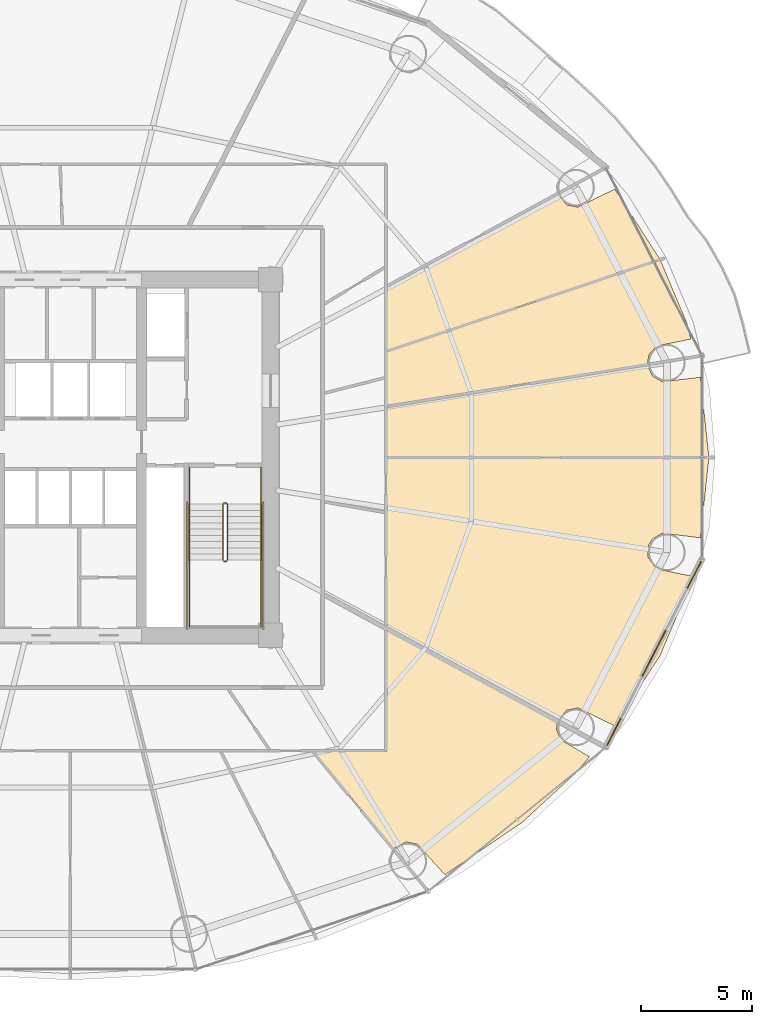
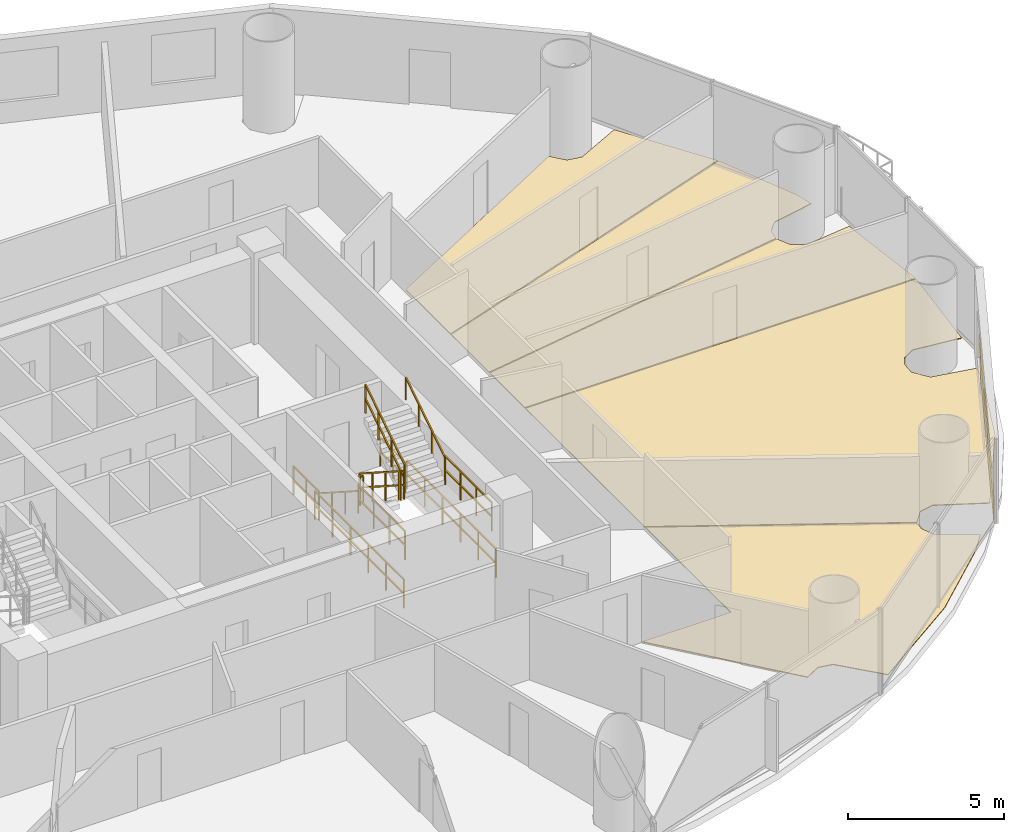
# One storey, part 28 of 29: 12 railings, 6 coverings.
"""IFC4 building model written with IfcOpenShell, lengths in metres."""

from ifc_helpers import new_model, si_unit, direction, frame, origin, origin_2d, place, context, subcontext, project, spatial, polyline, rectangle, outline, extrude, source, transform, mapped, material, layer, layer_set, type_object, element, save


model = new_model("IFC4")

# Units and contexts
model_context = context("Model", 3, precision=1e-05, world=origin(), true_north=direction((-0.2419218956, 0.970295726276)))
body_context = subcontext(model_context, "Body", "Model", "MODEL_VIEW")
ifc_project = project(units=[si_unit("LENGTHUNIT", "METRE"), si_unit("AREAUNIT", "SQUARE_METRE"), si_unit("VOLUMEUNIT", "CUBIC_METRE"), si_unit("PLANEANGLEUNIT", "RADIAN"), si_unit("MASSUNIT", "GRAM", prefix="KILO")], contexts=[model_context])

# Site, building, storey
site_placement = place(None, origin())
site = spatial("IfcSite", under=ifc_project, at=site_placement, CompositionType="ELEMENT")
building_placement = place(site_placement, origin())
building = spatial("IfcBuilding", under=site, at=building_placement, Name="Cobrevalo Terracotta Tower", CompositionType="ELEMENT")
storey_placement = place(building_placement, frame((0.0, 0.0, 45.60009765625)))
storey = spatial("IfcBuildingStorey", under=building, at=storey_placement, Name="L11", CompositionType="ELEMENT", Elevation=45.60009765625)

# Coverings
ifc_material_1 = material(Name="Engineered Brazilian hardwood flooring", Category="wood")
ifc_layer_1 = layer(ifc_material_1, 0.028076171875)
ifc_layer_set_1 = layer_set([ifc_layer_1], Name="Engineered Brazilian hardwood flooring")
covering_type_1 = type_object("IfcCoveringType", Name="Engineered Hardwood Suite Flooring 28", PredefinedType="FLOORING", material=ifc_layer_set_1)
covering_1_placement = place(storey_placement, origin())
element("IfcCovering", 1, at=covering_1_placement, inside=storey, type_object=covering_type_1, Name="Flat L11A Penthouse Living and Dining Room floor finish", PredefinedType="FLOORING", context=body_context, shape_type="SweptSolid", body=[
    extrude(outline(polyline([(62.488037109375, 14.7255859375), (60.826416015625, 15.53662109375), (60.325439453125, 15.436767578125), (59.915283203125, 14.95654296875), (52.215087890625, 19.1259765625), (52.215087890625, 26.780029296875), (66.71826171875, 26.780029296875), (66.331298828125, 23.18896484375), (64.619384765625, 23.39306640625), (64.178466796875, 23.135009765625), (63.9990234375, 22.84228515625), (63.968505859375, 22.332275390625), (64.3642578125, 21.787109375), (65.909423828125, 21.473876953125), (65.74169921875, 20.791259765625), (64.534423828125, 17.91552734375), (62.488037109375, 14.7255859375)])), origin(), (0.0, 0.0, 1.0), 0.02978515625),
])
covering_2_placement = place(storey_placement, origin())
element("IfcCovering", 2, at=covering_2_placement, inside=storey, type_object=covering_type_1, Name="Flat L11A Master Bedroom floor finish", PredefinedType="FLOORING", context=body_context, shape_type="SweptSolid", body=[
    extrude(outline(polyline([(63.952880859375, 30.963134765625), (64.178466796875, 30.465087890625), (64.619384765625, 30.206787109375), (66.331298828125, 30.4111328125), (66.71826171875, 26.820068359375), (52.215087890625, 26.820068359375), (52.215087890625, 29.071044921875), (63.952880859375, 30.963134765625)])), origin(), (0.0, 0.0, 1.0), 0.02978515625),
])
covering_3_placement = place(storey_placement, origin())
element("IfcCovering", 3, at=covering_3_placement, inside=storey, type_object=covering_type_1, Name="Flat L11A Principal Guest Bedroom floor finish", PredefinedType="FLOORING", context=body_context, shape_type="SweptSolid", body=[
    extrude(outline(polyline([(64.531494140625, 35.684326171875), (65.74169921875, 32.80859375), (65.909423828125, 32.126220703125), (64.3642578125, 31.81298828125), (64.025146484375, 31.4306640625), (63.95068359375, 31.003173828125), (52.215087890625, 29.111572265625), (52.215087890625, 31.55029296875), (64.531494140625, 35.684326171875)])), origin(), (0.0, 0.0, 1.0), 0.02978515625),
])
covering_4_placement = place(storey_placement, origin())
element("IfcCovering", 4, at=covering_4_placement, inside=storey, type_object=covering_type_1, Name="Flat L11A Principal Guest Bedroom floor finish", PredefinedType="FLOORING", context=body_context, shape_type="SweptSolid", body=[
    extrude(outline(polyline([(59.915283203125, 38.643310546875), (60.325439453125, 38.163330078125), (60.826416015625, 38.063232421875), (62.488037109375, 38.87451171875), (64.5126953125, 35.72021484375), (52.215087890625, 31.592529296875), (52.215087890625, 34.47412109375), (59.915283203125, 38.643310546875)])), origin(), (0.0, 0.0, 1.0), 0.02978515625),
])
covering_5_placement = place(storey_placement, origin())
element("IfcCovering", 5, at=covering_5_placement, inside=storey, type_object=covering_type_1, Name="Flat L11D Penthouse Family Lounge floor finish", PredefinedType="FLOORING", context=body_context, shape_type="SweptSolid", body=[
    extrude(outline(polyline([(54.843505859375, 8.03271484375), (53.6025390625, 9.412353515625), (53.100341796875, 9.50732421875), (52.531982421875, 9.20751953125), (48.922607421875, 13.5849609375), (52.215087890625, 13.5849609375), (52.215087890625, 19.08056640625), (59.90234375, 14.91796875), (59.864990234375, 14.573974609375), (60.060791015625, 14.10205078125), (61.34423828125, 13.341064453125), (60.786376953125, 12.666259765625), (58.3095703125, 10.38232421875), (54.843505859375, 8.03271484375)])), origin(), (0.0, 0.0, 1.0), 0.02978515625),
])

# Railings
ifc_material_2 = material(Name="Brushed stainless steel", Category="steel")
railing_type_1 = type_object("IfcRailingType", Name="Stainless Steel Stair Handrail 900", PredefinedType="HANDRAIL", material=ifc_material_2)
railing_1_placement = place(storey_placement, frame((43.35498046875, 24.699951171875, 0.179931640625)))
element("IfcRailing", 6, at=railing_1_placement, inside=storey, type_object=railing_type_1, Name="L11 ST-2 stair handrail 1", PredefinedType="HANDRAIL", context=body_context, shape_type="SweptSolid", body=[
    extrude(rectangle(XDim=0.048095703125, YDim=0.048095703125, at=origin_2d()), frame((0.0, 0.0, 0.8759765625), z_axis=(0.0, -0.841199657755, 0.540724639528), x_axis=(1.0, 0.0, 0.0)), (0.0, 0.0, 1.0), 2.995849609375),
    extrude(rectangle(XDim=0.0419921875, YDim=0.0419921875, at=origin_2d()), origin(), (0.0, 0.0, 1.0), 0.851806640625),
    extrude(rectangle(XDim=0.0419921875, YDim=0.0419921875, at=origin_2d()), frame((0.0, -0.840087890625, 0.5400390625)), (0.0, 0.0, 1.0), 0.851806640625),
    extrude(rectangle(XDim=0.0419921875, YDim=0.0419921875, at=origin_2d()), frame((0.0, -1.679931640625, 1.079833984375)), (0.0, 0.0, 1.0), 0.851806640625),
    extrude(rectangle(XDim=0.0419921875, YDim=0.0419921875, at=origin_2d()), frame((0.0, -2.52001953125, 1.619873046875)), (0.0, 0.0, 1.0), 0.851806640625),
])
railing_2_placement = place(storey_placement, frame((46.574951171875, 22.179931640625, 1.97998046875)))
element("IfcRailing", 7, at=railing_2_placement, inside=storey, type_object=railing_type_1, Name="L11 ST-2 stair handrail 2", PredefinedType="HANDRAIL", context=body_context, shape_type="SweptSolid", body=[
    extrude(rectangle(XDim=0.048095703125, YDim=0.048095703125, at=origin_2d()), frame((0.0, 0.0, 0.8759765625), z_axis=(0.0, 0.841199657755, 0.540724639528), x_axis=(-1.0, 0.0, 0.0)), (0.0, 0.0, 1.0), 2.995849609375),
    extrude(rectangle(XDim=0.0419921875, YDim=0.0419921875, at=origin_2d()), origin(), (0.0, 0.0, 1.0), 0.851806640625),
    extrude(rectangle(XDim=0.0419921875, YDim=0.0419921875, at=origin_2d()), frame((0.0, 0.840087890625, 0.5400390625)), (0.0, 0.0, 1.0), 0.851806640625),
    extrude(rectangle(XDim=0.0419921875, YDim=0.0419921875, at=origin_2d()), frame((0.0, 1.679931640625, 1.079833984375)), (0.0, 0.0, 1.0), 0.851806640625),
    extrude(rectangle(XDim=0.0419921875, YDim=0.0419921875, at=origin_2d()), frame((0.0, 2.52001953125, 1.619873046875)), (0.0, 0.0, 1.0), 0.851806640625),
])
ifc_material_3 = material(Name="Painted galvanized steel", Category="steel")
railing_type_2 = type_object("IfcRailingType", Name="Stair Well Guard Balustrade 1150", PredefinedType="GUARDRAIL", material=ifc_material_3)
railing_3_placement = place(storey_placement, frame((44.85498046875, 24.699951171875, 0.179931640625)))
element("IfcRailing", 8, at=railing_3_placement, inside=storey, type_object=railing_type_2, Name="L11 ST-2 stair guard 1", PredefinedType="GUARDRAIL", context=body_context, shape_type="SweptSolid", body=[
    extrude(rectangle(XDim=0.048095703125, YDim=0.048095703125, at=origin_2d()), frame((0.0, 0.0, 1.1259765625), z_axis=(0.0, -0.841199657755, 0.540724639528), x_axis=(1.0, 0.0, 0.0)), (0.0, 0.0, 1.0), 2.995849609375),
    extrude(rectangle(XDim=0.048095703125, YDim=0.048095703125, at=origin_2d()), frame((0.0, 0.0, 0.574951171875), z_axis=(0.0, -0.841199657755, 0.540724639528), x_axis=(1.0, 0.0, 0.0)), (0.0, 0.0, 1.0), 2.995849609375),
    extrude(rectangle(XDim=0.0419921875, YDim=0.0419921875, at=origin_2d()), origin(), (0.0, 0.0, 1.0), 1.101806640625),
    extrude(rectangle(XDim=0.0419921875, YDim=0.0419921875, at=origin_2d()), frame((0.0, -0.840087890625, 0.5400390625)), (0.0, 0.0, 1.0), 1.101806640625),
    extrude(rectangle(XDim=0.0419921875, YDim=0.0419921875, at=origin_2d()), frame((0.0, -1.679931640625, 1.079833984375)), (0.0, 0.0, 1.0), 1.101806640625),
    extrude(rectangle(XDim=0.0419921875, YDim=0.0419921875, at=origin_2d()), frame((0.0, -2.52001953125, 1.619873046875)), (0.0, 0.0, 1.0), 1.101806640625),
])
railing_4_placement = place(storey_placement, frame((44.905029296875, 22.1298828125, 1.7998046875)))
element("IfcRailing", 9, at=railing_4_placement, inside=storey, type_object=railing_type_2, Name="L11 ST-2 stair guard 2", PredefinedType="GUARDRAIL", context=body_context, shape_type="SweptSolid", body=[
    extrude(rectangle(XDim=0.048095703125, YDim=0.048095703125, at=origin_2d()), frame((0.0, 0.0, 1.1259765625), z_axis=(1.0, 0.0, 0.0), x_axis=(0.0, 1.0, 0.0)), (0.0, 0.0, 1.0), 0.119873046875),
    extrude(rectangle(XDim=0.048095703125, YDim=0.048095703125, at=origin_2d()), frame((0.0, 0.0, 0.574951171875), z_axis=(1.0, 0.0, 0.0), x_axis=(0.0, 1.0, 0.0)), (0.0, 0.0, 1.0), 0.119873046875),
    extrude(rectangle(XDim=0.0419921875, YDim=0.0419921875, at=origin_2d()), origin(), (0.0, 0.0, 1.0), 1.101806640625),
    extrude(rectangle(XDim=0.0419921875, YDim=0.0419921875, at=origin_2d()), frame((0.119873046875, 0.0, 0.0)), (0.0, 0.0, 1.0), 1.101806640625),
])
for number, where, name in (
    (10, (43.35498046875, 22.179931640625, 1.7998046875), "L11 ST-2 stair guard 3"),
    (11, (46.574951171875, 22.179931640625, 1.7998046875), "L11 ST-2 stair guard 4"),
):
    element("IfcRailing", number, at=place(storey_placement, frame(where)), inside=storey, type_object=railing_type_2, Name=name, PredefinedType="GUARDRAIL", context=body_context, shape_type="SweptSolid", body=[
        extrude(rectangle(XDim=0.048095703125, YDim=0.048095703125, at=origin_2d()), frame((0.0, 0.0, 1.1259765625), z_axis=(0.0, -1.0, 0.0), x_axis=(1.0, 0.0, 0.0)), (0.0, 0.0, 1.0), 3.0048828125),
        extrude(rectangle(XDim=0.048095703125, YDim=0.048095703125, at=origin_2d()), frame((0.0, 0.0, 0.574951171875), z_axis=(0.0, -1.0, 0.0), x_axis=(1.0, 0.0, 0.0)), (0.0, 0.0, 1.0), 3.0048828125),
        extrude(rectangle(XDim=0.0419921875, YDim=0.0419921875, at=origin_2d()), origin(), (0.0, 0.0, 1.0), 1.101806640625),
        extrude(rectangle(XDim=0.0419921875, YDim=0.0419921875, at=origin_2d()), frame((0.0, -1.001708984375, 0.0)), (0.0, 0.0, 1.0), 1.101806640625),
        extrude(rectangle(XDim=0.0419921875, YDim=0.0419921875, at=origin_2d()), frame((0.0, -2.003173828125, 0.0)), (0.0, 0.0, 1.0), 1.101806640625),
        extrude(rectangle(XDim=0.0419921875, YDim=0.0419921875, at=origin_2d()), frame((0.0, -3.0048828125, 0.0)), (0.0, 0.0, 1.0), 1.101806640625),
    ])
railing_5_placement = place(storey_placement, frame((45.074951171875, 22.179931640625, 1.97998046875)))
element("IfcRailing", 12, at=railing_5_placement, inside=storey, type_object=railing_type_2, Name="L11 ST-2 stair guard 6", PredefinedType="GUARDRAIL", context=body_context, shape_type="SweptSolid", body=[
    extrude(rectangle(XDim=0.048095703125, YDim=0.048095703125, at=origin_2d()), frame((0.0, 0.0, 1.1259765625), z_axis=(0.0, 0.841199657755, 0.540724639528), x_axis=(-1.0, 0.0, 0.0)), (0.0, 0.0, 1.0), 2.995849609375),
    extrude(rectangle(XDim=0.048095703125, YDim=0.048095703125, at=origin_2d()), frame((0.0, 0.0, 0.574951171875), z_axis=(0.0, 0.841199657755, 0.540724639528), x_axis=(-1.0, 0.0, 0.0)), (0.0, 0.0, 1.0), 2.995849609375),
    extrude(rectangle(XDim=0.0419921875, YDim=0.0419921875, at=origin_2d()), origin(), (0.0, 0.0, 1.0), 1.101806640625),
    extrude(rectangle(XDim=0.0419921875, YDim=0.0419921875, at=origin_2d()), frame((0.0, 0.840087890625, 0.5400390625)), (0.0, 0.0, 1.0), 1.101806640625),
    extrude(rectangle(XDim=0.0419921875, YDim=0.0419921875, at=origin_2d()), frame((0.0, 1.679931640625, 1.079833984375)), (0.0, 0.0, 1.0), 1.101806640625),
    extrude(rectangle(XDim=0.0419921875, YDim=0.0419921875, at=origin_2d()), frame((0.0, 2.52001953125, 1.619873046875)), (0.0, 0.0, 1.0), 1.101806640625),
])
railing_6_placement = place(storey_placement, frame((44.905029296875, 24.75, 0.0)))
element("IfcRailing", 13, at=railing_6_placement, inside=storey, type_object=railing_type_2, Name="L11 ST-2 stair guard 7", PredefinedType="GUARDRAIL", context=body_context, shape_type="SweptSolid", body=[
    extrude(rectangle(XDim=0.048095703125, YDim=0.048095703125, at=origin_2d()), frame((0.0, 0.0, 1.1259765625), z_axis=(1.0, 0.0, 0.0), x_axis=(0.0, 1.0, 0.0)), (0.0, 0.0, 1.0), 0.119873046875),
    extrude(rectangle(XDim=0.048095703125, YDim=0.048095703125, at=origin_2d()), frame((0.0, 0.0, 0.574951171875), z_axis=(1.0, 0.0, 0.0), x_axis=(0.0, 1.0, 0.0)), (0.0, 0.0, 1.0), 0.119873046875),
    extrude(rectangle(XDim=0.0419921875, YDim=0.0419921875, at=origin_2d()), origin(), (0.0, 0.0, 1.0), 1.101806640625),
    extrude(rectangle(XDim=0.0419921875, YDim=0.0419921875, at=origin_2d()), frame((0.119873046875, 0.0, 0.0)), (0.0, 0.0, 1.0), 1.101806640625),
])
for number, where, name in (
    (14, (43.35498046875, 26.35009765625, 0.0), "L11 ST-2 stair guard 8"),
    (15, (46.574951171875, 26.35009765625, 0.0), "L11 ST-2 stair guard 9"),
):
    element("IfcRailing", number, at=place(storey_placement, frame(where)), inside=storey, type_object=railing_type_2, Name=name, PredefinedType="GUARDRAIL", context=body_context, shape_type="SweptSolid", body=[
        extrude(rectangle(XDim=0.048095703125, YDim=0.048095703125, at=origin_2d()), frame((0.0, 0.0, 1.1259765625), z_axis=(0.0, -1.0, 0.0), x_axis=(1.0, 0.0, 0.0)), (0.0, 0.0, 1.0), 1.650146484375),
        extrude(rectangle(XDim=0.048095703125, YDim=0.048095703125, at=origin_2d()), frame((0.0, 0.0, 0.574951171875), z_axis=(0.0, -1.0, 0.0), x_axis=(1.0, 0.0, 0.0)), (0.0, 0.0, 1.0), 1.650146484375),
        extrude(rectangle(XDim=0.0419921875, YDim=0.0419921875, at=origin_2d()), origin(), (0.0, 0.0, 1.0), 1.101806640625),
        extrude(rectangle(XDim=0.0419921875, YDim=0.0419921875, at=origin_2d()), frame((0.0, -0.8251953125, 0.0)), (0.0, 0.0, 1.0), 1.101806640625),
        extrude(rectangle(XDim=0.0419921875, YDim=0.0419921875, at=origin_2d()), frame((0.0, -1.650146484375, 0.0)), (0.0, 0.0, 1.0), 1.101806640625),
    ])
for number, where, name in (
    (16, (43.2548828125, 24.800048828125, 0.0), "L11 ST-2 stair guard 10"),
    (17, (46.675048828125, 24.800048828125, 0.0), "L11 ST-2 stair guard 11"),
):
    element("IfcRailing", number, at=place(storey_placement, frame(where)), inside=storey, type_object=railing_type_2, Name=name, PredefinedType="GUARDRAIL", context=body_context, shape_type="SweptSolid", body=[
        extrude(rectangle(XDim=0.048095703125, YDim=0.048095703125, at=origin_2d()), frame((0.0, 0.0, 1.1259765625), z_axis=(0.0, -1.0, 0.0), x_axis=(1.0, 0.0, 0.0)), (0.0, 0.0, 1.0), 5.72509765625),
        extrude(rectangle(XDim=0.048095703125, YDim=0.048095703125, at=origin_2d()), frame((0.0, 0.0, 0.574951171875), z_axis=(0.0, -1.0, 0.0), x_axis=(1.0, 0.0, 0.0)), (0.0, 0.0, 1.0), 5.72509765625),
        extrude(rectangle(XDim=0.0419921875, YDim=0.0419921875, at=origin_2d()), origin(), (0.0, 0.0, 1.0), 1.101806640625),
        extrude(rectangle(XDim=0.0419921875, YDim=0.0419921875, at=origin_2d()), frame((0.0, -1.14501953125, 0.0)), (0.0, 0.0, 1.0), 1.101806640625),
        extrude(rectangle(XDim=0.0419921875, YDim=0.0419921875, at=origin_2d()), frame((0.0, -2.2900390625, 0.0)), (0.0, 0.0, 1.0), 1.101806640625),
        extrude(rectangle(XDim=0.0419921875, YDim=0.0419921875, at=origin_2d()), frame((0.0, -3.43505859375, 0.0)), (0.0, 0.0, 1.0), 1.101806640625),
        extrude(rectangle(XDim=0.0419921875, YDim=0.0419921875, at=origin_2d()), frame((0.0, -4.580078125, 0.0)), (0.0, 0.0, 1.0), 1.101806640625),
        extrude(rectangle(XDim=0.0419921875, YDim=0.0419921875, at=origin_2d()), frame((0.0, -5.72509765625, 0.0)), (0.0, 0.0, 1.0), 1.101806640625),
    ])

# Covering
ifc_material_4 = material(Name="Glazed terracotta facade cladding tile", Category="masonry")
ifc_layer_2 = layer(ifc_material_4, 0.044921875)
ifc_layer_set_2 = layer_set([ifc_layer_2], Name="Glazed terracotta facade cladding tile")
covering_type_2 = type_object("IfcCoveringType", Name="Architectural terracotta rainscreen spandrel cladding 45 mm", PredefinedType="CLADDING", material=ifc_layer_set_2)
shared_shape = source(origin(), body_context, "Body", "SweptSolid", [
    extrude(rectangle(XDim=9.30224609375, YDim=0.044921875, at=origin_2d()), origin(), (0.0, 0.0, 1.0), 0.760009765625),
])
covering_6_placement = place(storey_placement, frame((64.25048828125, 17.990966796875, 0.0400390625), z_axis=(0.0, 0.0, 1.0), x_axis=(0.45523102861, 0.890373354605, 0.0)))
element("IfcCovering", 18, at=covering_6_placement, inside=storey, type_object=covering_type_2, Name="L11 terracotta spandrel cladding S15", PredefinedType="CLADDING", context=body_context, shape_type="MappedRepresentation", body=[
    mapped(shared_shape, transform((0.0, 0.0, 0.0), scale=1.0)),
])

save(model, "model.ifc")
